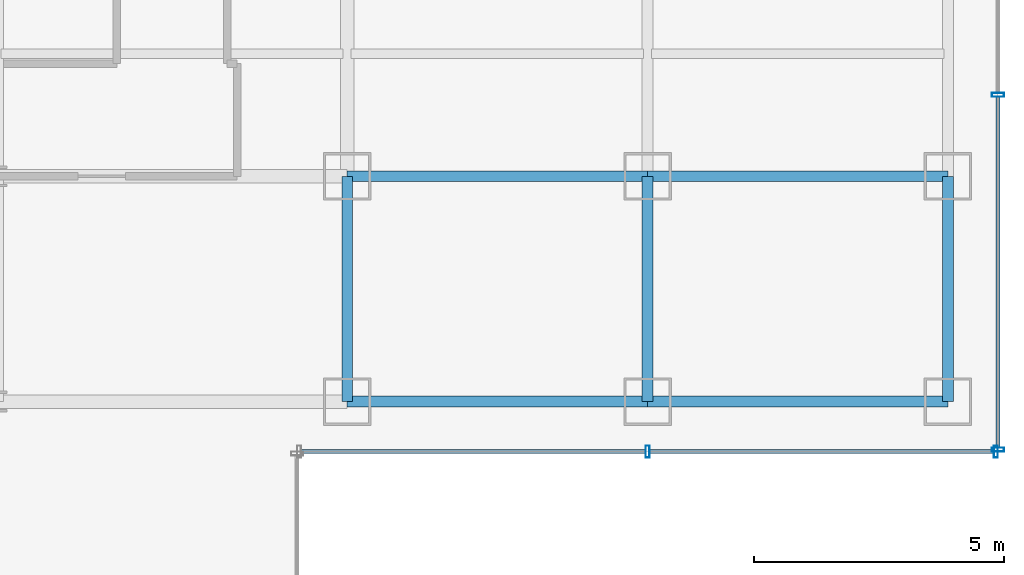
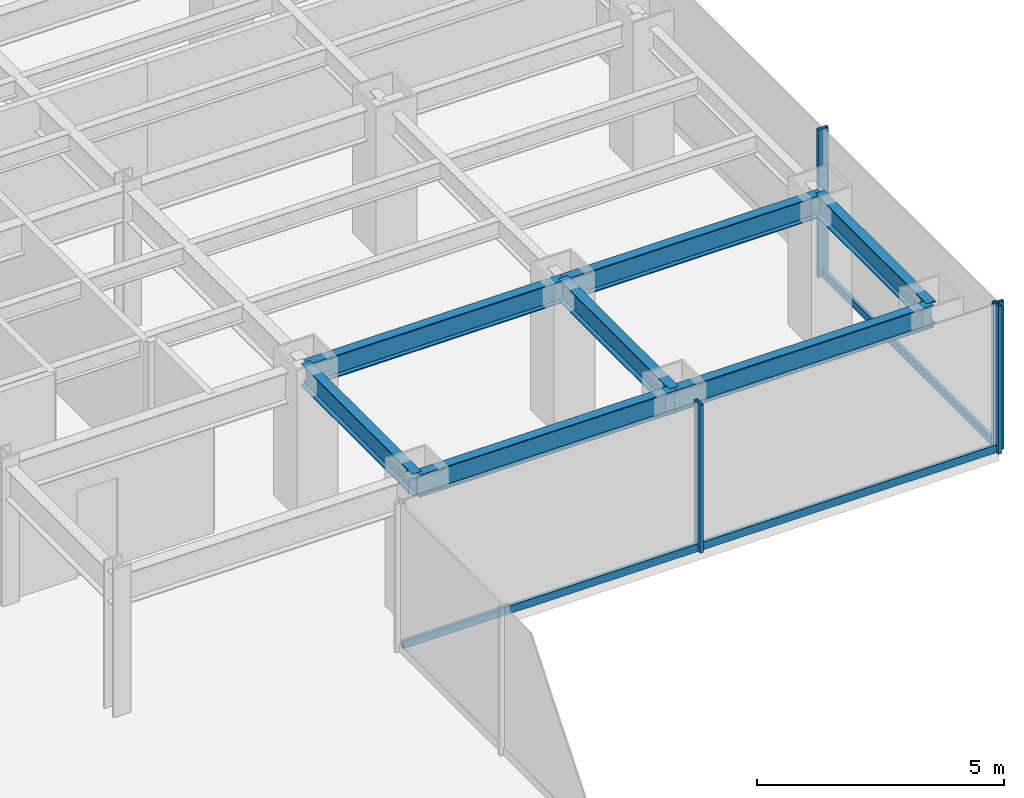
# One storey, part 7 of 22: 7 beams, 7 members, 2 elements without a shape of their own.
"""IFC4 building model written with IfcOpenShell, lengths in metres."""

import ifcopenshell
import ifcopenshell.guid

model = None  # the IFC model being written
_history = None  # IfcOwnerHistory: only IFC2X3 demands one
_inside = {}  # id of a spatial element -> (the spatial element, [elements in it])
_under = {}  # id of a project, library or spatial element -> (it, [spatial elements below it])
_declared = {}  # id of a project -> (the project, [libraries it declares])
_typed = {}  # id of a type object -> (the type object, [elements of that type])
_made_of = {}  # id of a material, layer set ... -> (it, [elements and type objects made of it])


def new_model(schema):
    """Start an empty IFC model of exactly this schema.

    Asked for "IFC4X3", IfcOpenShell would pick the latest addendum, in which some entities
    have other attributes; the version numbers below select the first issue.
    IFC2X3 requires an IfcOwnerHistory on every rooted entity: one is made here for all.
    """
    global model, _history
    if schema == "IFC4X3":
        model = ifcopenshell.file(schema_version=(4, 3, 0, 0))
    else:
        model = ifcopenshell.file(schema=schema)
    _inside.clear()
    _under.clear()
    _declared.clear()
    _typed.clear()
    _made_of.clear()
    _history = None
    if model.schema == "IFC2X3":
        org = make("IfcOrganization", Name="unknown")
        user = make(
            "IfcPersonAndOrganization",
            ThePerson=make("IfcPerson", FamilyName="unknown"),
            TheOrganization=org,
        )
        app = make(
            "IfcApplication",
            ApplicationDeveloper=org,
            Version="unknown",
            ApplicationFullName="unknown",
            ApplicationIdentifier="unknown",
        )
        _history = make(
            "IfcOwnerHistory",
            OwningUser=user,
            OwningApplication=app,
            ChangeAction="ADDED",
            CreationDate=0,
        )
    return model


def make(cls, **values):
    """One entity of the class cls with the attributes given. An attribute that is None is left unset."""
    return model.create_entity(
        cls, **{name: value for name, value in values.items() if value is not None}
    )


def rooted(cls, **values):
    """An entity with a GlobalId (a new one), such as an element, a storey or a relation."""
    return make(cls, GlobalId=ifcopenshell.guid.new(), OwnerHistory=_history, **values)


def si_unit(unit_type, name, prefix=None):
    """IfcSIUnit, for example si_unit("LENGTHUNIT", "METRE", prefix="MILLI")."""
    return make("IfcSIUnit", UnitType=unit_type, Prefix=prefix, Name=name)


def derived_unit(unit_type, elements):
    """IfcDerivedUnit: a product of units, each with its exponent."""
    return make(
        "IfcDerivedUnit",
        Elements=[
            make("IfcDerivedUnitElement", Unit=unit, Exponent=power)
            for unit, power in elements
        ],
        UnitType=unit_type,
    )


def assignment(units):
    """IfcUnitAssignment: the units of a project."""
    return None if units is None else make("IfcUnitAssignment", Units=units)


def point(xyz):
    """IfcCartesianPoint."""
    return None if xyz is None else make("IfcCartesianPoint", Coordinates=xyz)


def direction(xyz):
    """IfcDirection."""
    return None if xyz is None else make("IfcDirection", DirectionRatios=xyz)


def frame(location, z_axis=None, x_axis=None):
    """IfcAxis2Placement3D, a coordinate frame: its origin and axes. An axis left out is left unset."""
    return make(
        "IfcAxis2Placement3D",
        Location=point(location),
        Axis=direction(z_axis),
        RefDirection=direction(x_axis),
    )


def frame_2d(location, x_axis=None):
    """IfcAxis2Placement2D, a coordinate frame in the plane: its origin and x axis."""
    return make(
        "IfcAxis2Placement2D", Location=point(location), RefDirection=direction(x_axis)
    )


def origin():
    """The frame at (0, 0, 0) with its axes left unset."""
    return frame((0.0, 0.0, 0.0))


def origin_2d():
    """The frame at (0, 0) in the plane with its x axis left unset."""
    return frame_2d((0.0, 0.0))


def place(relative_to, where):
    """IfcLocalPlacement: puts the frame where relative to a parent placement (None: the world)."""
    return make(
        "IfcLocalPlacement", PlacementRelTo=relative_to, RelativePlacement=where
    )


def context(
    kind, dimensions, precision=None, world=None, true_north=None, identifier=None
):
    """IfcGeometricRepresentationContext, for example the 3D "Model" context."""
    return make(
        "IfcGeometricRepresentationContext",
        ContextIdentifier=identifier,
        ContextType=kind,
        CoordinateSpaceDimension=dimensions,
        Precision=precision,
        WorldCoordinateSystem=world,
        TrueNorth=true_north,
    )


def subcontext(parent, identifier, kind, view, scale=None):
    """IfcGeometricRepresentationSubContext, for example "Body" below "Model"."""
    return make(
        "IfcGeometricRepresentationSubContext",
        ContextIdentifier=identifier,
        ContextType=kind,
        ParentContext=parent,
        TargetScale=scale,
        TargetView=view,
    )


def project(units=None, contexts=None):
    """IfcProject with its units and contexts."""
    return rooted(
        "IfcProject",
        Name="project",
        RepresentationContexts=contexts,
        UnitsInContext=assignment(units),
    )


def spatial(cls, under=None, at=None, **own):
    """A site, building, storey or space (cls), placed at a placement, below another one or the project."""
    s = rooted(cls, ObjectPlacement=at, **own)
    if under is not None:
        _under.setdefault(under.id(), (under, []))[1].append(s)
    return s


def profile(cls, at=None, kind="AREA", **sizes):
    """A parametric profile (cls). Its sizes go by their IFC names, for example OverallWidth=200.0."""
    return make(cls, ProfileType=kind, Position=at, **sizes)


def hollow_rectangle(**sizes):
    """IfcRectangleHollowProfileDef."""
    return profile("IfcRectangleHollowProfileDef", **sizes)


def i_section(**sizes):
    """IfcIShapeProfileDef."""
    return profile("IfcIShapeProfileDef", **sizes)


def extrude(swept, where, along, depth):
    """IfcExtrudedAreaSolid: the profile swept, set in the frame where, extruded along a direction by depth."""
    return make(
        "IfcExtrudedAreaSolid",
        SweptArea=swept,
        Position=where,
        ExtrudedDirection=direction(along),
        Depth=depth,
    )


def shape(context_of_items, identifier, shape_type, items):
    """IfcShapeRepresentation: the items that make up one representation, for example the "Body"."""
    return make(
        "IfcShapeRepresentation",
        ContextOfItems=context_of_items,
        RepresentationIdentifier=identifier,
        RepresentationType=shape_type,
        Items=items,
    )


def source(mapping_origin, context_of_items, identifier, shape_type, items):
    """IfcRepresentationMap: a shape defined once, which mapped items show again and again."""
    return make(
        "IfcRepresentationMap",
        MappingOrigin=mapping_origin,
        MappedRepresentation=shape(context_of_items, identifier, shape_type, items),
    )


def transform(
    local_origin,
    x_axis=None,
    y_axis=None,
    z_axis=None,
    scale=None,
    scale2=None,
    scale3=None,
    uniform=True,
):
    """IfcCartesianTransformationOperator3D, or its non-uniform kind. x_axis, y_axis, z_axis: its Axis1, 2, 3."""
    if uniform:
        return make(
            "IfcCartesianTransformationOperator3D",
            Axis1=direction(x_axis),
            Axis2=direction(y_axis),
            LocalOrigin=point(local_origin),
            Scale=scale,
            Axis3=direction(z_axis),
        )
    return make(
        "IfcCartesianTransformationOperator3DnonUniform",
        Axis1=direction(x_axis),
        Axis2=direction(y_axis),
        LocalOrigin=point(local_origin),
        Scale=scale,
        Axis3=direction(z_axis),
        Scale2=scale2,
        Scale3=scale3,
    )


def mapped(mapping_source, mapping_target):
    """IfcMappedItem: shows the shape of a source again, moved by a transform."""
    return make(
        "IfcMappedItem", MappingSource=mapping_source, MappingTarget=mapping_target
    )


def material(Name=None, Category=None):
    """IfcMaterial."""
    return make("IfcMaterial", Name=Name, Category=Category)


def material_profile(
    of_material, cross_section, Name=None, Category=None, Priority=None
):
    """IfcMaterialProfile: a cross section and its material."""
    return make(
        "IfcMaterialProfile",
        Name=Name,
        Material=of_material,
        Profile=cross_section,
        Priority=Priority,
        Category=Category,
    )


def profile_set(profiles, Name=None, composite=None):
    """IfcMaterialProfileSet."""
    return make(
        "IfcMaterialProfileSet",
        Name=Name,
        MaterialProfiles=profiles,
        CompositeProfile=composite,
    )


def made_of(thing, what):
    """Note that an element or type object is made of a material, layer set ...; save() writes the relation."""
    if what is not None:
        _made_of.setdefault(what.id(), (what, []))[1].append(thing)
    return thing


def type_object(cls, material=None, **own):
    """A type object (cls), such as IfcWallType, which elements share."""
    return made_of(rooted(cls, **own), material)


def element(
    cls,
    number,
    at=None,
    inside=None,
    cuts=None,
    type_object=None,
    material=None,
    context=None,
    identifier="Body",
    shape_type=None,
    held_by="IfcProductDefinitionShape",
    body=None,
    shapes=None,
    **own,
):
    """One element of the class cls, such as IfcWall. Its Tag is "e" and its number.

    at: its placement. inside: the storey or other place that contains it. cuts: it is an
    opening in that element (IfcRelVoidsElement). A single representation is given by context,
    identifier, shape_type and body (its items); several are given by shapes. held_by: the class
    of the entity that holds the representations. save() writes the other relations.
    """
    e = rooted(cls, Tag="e%d" % number, ObjectPlacement=at, **own)
    if body is not None:
        shapes = [shape(context, identifier, shape_type, body)]
    if shapes is not None:
        e.Representation = make(held_by, Representations=shapes)
    if inside is not None:
        _inside.setdefault(inside.id(), (inside, []))[1].append(e)
    if cuts is not None:
        rooted(
            "IfcRelVoidsElement", RelatingBuildingElement=cuts, RelatedOpeningElement=e
        )
    if type_object is not None:
        _typed.setdefault(type_object.id(), (type_object, []))[1].append(e)
    return made_of(e, material)


def aggregate(whole, parts):
    """IfcRelAggregates: a whole, such as a stair, and the parts it consists of."""
    return rooted("IfcRelAggregates", RelatingObject=whole, RelatedObjects=parts)


def save(model, path):
    """Write the relations noted so far, then the file.

    IfcRelAggregates (storeys below a building ...), IfcRelContainedInSpatialStructure (elements
    in a storey), IfcRelDefinesByType, IfcRelAssociatesMaterial and IfcRelDeclares: one each for
    every whole, place, type object, material and project.
    """
    for whole, parts in _under.values():
        aggregate(whole, parts)
    for where, things in _inside.values():
        rooted(
            "IfcRelContainedInSpatialStructure",
            RelatedElements=things,
            RelatingStructure=where,
        )
    for kind, things in _typed.values():
        rooted("IfcRelDefinesByType", RelatedObjects=things, RelatingType=kind)
    for what, things in _made_of.values():
        rooted("IfcRelAssociatesMaterial", RelatedObjects=things, RelatingMaterial=what)
    for by, libraries in _declared.values():
        rooted("IfcRelDeclares", RelatingContext=by, RelatedDefinitions=libraries)
    model.write(path)


model = new_model("IFC4")

# Units and contexts
model_context = context("Model", 3, precision=1e-05, world=origin(), true_north=direction((0.0, 1.0)))
body_context = subcontext(model_context, "Body", "Model", "MODEL_VIEW")
ifc_project = project(units=[si_unit("LENGTHUNIT", "METRE"), si_unit("AREAUNIT", "SQUARE_METRE"), si_unit("VOLUMEUNIT", "CUBIC_METRE"), si_unit("PLANEANGLEUNIT", "RADIAN"), si_unit("MASSUNIT", "GRAM", prefix="KILO"), derived_unit("THERMALTRANSMITTANCEUNIT", [(si_unit("POWERUNIT", "WATT"), 1), (si_unit("LENGTHUNIT", "METRE"), -2), (si_unit("THERMODYNAMICTEMPERATUREUNIT", "KELVIN"), -1)])], contexts=[model_context])

# Site, building, storey
site_placement = place(None, origin())
site = spatial("IfcSite", under=ifc_project, at=site_placement, CompositionType="ELEMENT")
building_placement = place(site_placement, origin())
building = spatial("IfcBuilding", under=site, at=building_placement, Name="Skarnbrae Concourse Arena and Tower", CompositionType="ELEMENT")
storey_placement = place(building_placement, frame((0.0, 0.0, 32.5)))
storey = spatial("IfcBuildingStorey", under=building, at=storey_placement, Name="L06", CompositionType="ELEMENT", Elevation=32.5)

# Beams
ifc_material_1 = material(Name="Steel CSA G40.21 350W", Category="steel")
ifc_material_profile_1 = material_profile(ifc_material_1, i_section(OverallWidth=0.214111328125, OverallDepth=0.549072265625, WebThickness=0.0146484375, FlangeThickness=0.023681640625, at=origin_2d()), Name="W530X138")
ifc_profile_set_1 = profile_set([ifc_material_profile_1], Name="Steel CSA G40.21 350W")
beam_type = type_object("IfcBeamType", Name="BM-SPAN-W530X138", PredefinedType="SPANDREL", material=ifc_profile_set_1)
shared_shape_1 = source(origin(), body_context, "Body", "SweptSolid", [
    extrude(i_section(OverallWidth=0.214111328125, OverallDepth=0.549072265625, WebThickness=0.0146484375, FlangeThickness=0.023681640625, at=origin_2d()), origin(), (0.0, 0.0, 1.0), 6.0),
])
for number, where, z_axis, x_axis, name in (
    (1, (49.0, 9.5, 3.12548828125), (1.0, 0.0, 0.0), (0.0, 1.0, 0.0), "L06 Perimeter spandrel Y9.5-3"),
    (2, (55.0, 9.5, 3.12548828125), (1.0, 0.0, 0.0), (0.0, 1.0, 0.0), "L06 Perimeter spandrel Y9.5-4"),
    (3, (49.0, 14.0, 3.12548828125), (1.0, 0.0, 0.0), (0.0, 1.0, 0.0), "L06 Perimeter spandrel Y14.0-8"),
    (4, (55.0, 14.0, 3.12548828125), (1.0, 0.0, 0.0), (0.0, 1.0, 0.0), "L06 Perimeter spandrel Y14.0-9"),
):
    element("IfcBeam", number, at=place(storey_placement, frame(where, z_axis=z_axis, x_axis=x_axis)), inside=storey, type_object=beam_type, Name=name, PredefinedType="SPANDREL", context=body_context, shape_type="MappedRepresentation", body=[
        mapped(shared_shape_1, transform((0.0, 0.0, 0.0))),
    ])
shared_shape_2 = source(origin(), body_context, "Body", "SweptSolid", [
    extrude(i_section(OverallWidth=0.214111328125, OverallDepth=0.549072265625, WebThickness=0.0146484375, FlangeThickness=0.023681640625, at=origin_2d()), origin(), (0.0, 0.0, 1.0), 4.5),
])
for number, where, z_axis, x_axis, name in (
    (5, (49.0, 9.5, 3.12548828125), (0.0, 1.0, 0.0), (-1.0, 0.0, 0.0), "L06 Perimeter spandrel X49.0-1"),
    (6, (55.0, 9.5, 3.12548828125), (0.0, 1.0, 0.0), (-1.0, 0.0, 0.0), "L06 Perimeter spandrel X55.0-1"),
    (7, (61.0, 9.5, 3.12548828125), (0.0, 1.0, 0.0), (-1.0, 0.0, 0.0), "L06 Perimeter spandrel X61.0-1"),
):
    element("IfcBeam", number, at=place(storey_placement, frame(where, z_axis=z_axis, x_axis=x_axis)), inside=storey, type_object=beam_type, Name=name, PredefinedType="SPANDREL", context=body_context, shape_type="MappedRepresentation", body=[
        mapped(shared_shape_2, transform((0.0, 0.0, 0.0))),
    ])

# Curtain wall, members
ifc_material_2 = material(Name="Bronze anodised aluminium 6063-T6", Category="aluminium")
curtain_wall_type = type_object("IfcCurtainWallType", Name="CW-SYS-02-LOWZONE", PredefinedType="USERDEFINED", material=ifc_material_2)
curtain_wall_1_placement = place(storey_placement, origin())
curtain_wall_1 = element("IfcCurtainWall", 8, at=curtain_wall_1_placement, inside=storey, type_object=curtain_wall_type, Name="L06 Unitised curtain wall CW-L06-E03", ObjectType="UNITISED CURTAIN WALL", PredefinedType="USERDEFINED")
ifc_material_profile_2 = material_profile(ifc_material_2, hollow_rectangle(XDim=0.080078125, YDim=0.239990234375, WallThickness=0.0048828125, at=origin_2d()), Name="ALU-MULL-80X240")
ifc_profile_set_2 = profile_set([ifc_material_profile_2], Name="Bronze anodised aluminium 6063-T6")
member_type_1 = type_object("IfcMemberType", Name="CWM-CW-02", PredefinedType="MULLION", material=ifc_profile_set_2)
shared_shape_3 = source(origin(), body_context, "Body", "SweptSolid", [
    extrude(hollow_rectangle(XDim=0.080078125, YDim=0.239990234375, WallThickness=0.0048828125, at=origin_2d()), origin(), (0.0, 0.0, 1.0), 3.64990234375),
])
member_1_placement = place(storey_placement, frame((55.0, 8.5, 0.0), z_axis=(0.0, 0.0, 1.0), x_axis=(1.0, 0.0, 0.0)))
member_1 = element("IfcMember", 9, at=member_1_placement, type_object=member_type_1, Name="CW-L06-E03 Mullion 2", PredefinedType="MULLION", context=body_context, shape_type="MappedRepresentation", body=[
    mapped(shared_shape_3, transform((0.0, 0.0, 0.0))),
])
member_2_placement = place(storey_placement, frame((61.9599609375, 8.5, 0.0), z_axis=(0.0, 0.0, 1.0), x_axis=(1.0, 0.0, 0.0)))
member_2 = element("IfcMember", 10, at=member_2_placement, type_object=member_type_1, Name="CW-L06-E03 Mullion 3", PredefinedType="MULLION", context=body_context, shape_type="MappedRepresentation", body=[
    mapped(shared_shape_3, transform((0.0, 0.0, 0.0))),
])

curtain_wall_2_placement = place(storey_placement, origin())
curtain_wall_2 = element("IfcCurtainWall", 11, at=curtain_wall_2_placement, inside=storey, type_object=curtain_wall_type, Name="L06 Unitised curtain wall CW-L06-E04", ObjectType="UNITISED CURTAIN WALL", PredefinedType="USERDEFINED")
member_3_placement = place(storey_placement, frame((62.0, 8.5400390625, 0.0), z_axis=(0.0, 0.0, 1.0), x_axis=(0.0, 1.0, 0.0)))
member_3 = element("IfcMember", 12, at=member_3_placement, type_object=member_type_1, Name="CW-L06-E04 Mullion 1", PredefinedType="MULLION", context=body_context, shape_type="MappedRepresentation", body=[
    mapped(shared_shape_3, transform((0.0, 0.0, 0.0))),
])
member_4_placement = place(storey_placement, frame((62.0, 15.625, 0.0), z_axis=(0.0, 0.0, 1.0), x_axis=(0.0, 1.0, 0.0)))
member_4 = element("IfcMember", 13, at=member_4_placement, type_object=member_type_1, Name="CW-L06-E04 Mullion 2", PredefinedType="MULLION", context=body_context, shape_type="MappedRepresentation", body=[
    mapped(shared_shape_3, transform((0.0, 0.0, 0.0))),
])

# Member
ifc_material_profile_3 = material_profile(ifc_material_2, hollow_rectangle(XDim=0.080078125, YDim=0.18994140625, WallThickness=0.0048828125, at=origin_2d()), Name="ALU-TRAN-80X190")
ifc_profile_set_3 = profile_set([ifc_material_profile_3], Name="Bronze anodised aluminium 6063-T6")
member_type_2 = type_object("IfcMemberType", Name="CWT-CW-02", PredefinedType="USERDEFINED", material=ifc_profile_set_3)
shared_shape_4 = source(origin(), body_context, "Body", "SweptSolid", [
    extrude(hollow_rectangle(XDim=0.080078125, YDim=0.18994140625, WallThickness=0.0048828125, at=origin_2d()), origin(), (0.0, 0.0, 1.0), 6.8798828125),
])
member_5_placement = place(storey_placement, frame((48.080078125, 8.5, 0.094970703125), z_axis=(1.0, 0.0, 0.0), x_axis=(0.0, 1.0, 0.0)))
member_5 = element("IfcMember", 14, at=member_5_placement, type_object=member_type_2, Name="CW-L06-E03 Transom 1", ObjectType="TRANSOM", PredefinedType="USERDEFINED", context=body_context, shape_type="MappedRepresentation", body=[
    mapped(shared_shape_4, transform((0.0, 0.0, 0.0))),
])

member_6_placement = place(storey_placement, frame((55.0400390625, 8.5, 0.094970703125), z_axis=(1.0, 0.0, 0.0), x_axis=(0.0, 1.0, 0.0)))
member_6 = element("IfcMember", 15, at=member_6_placement, type_object=member_type_2, Name="CW-L06-E03 Transom 2", ObjectType="TRANSOM", PredefinedType="USERDEFINED", context=body_context, shape_type="MappedRepresentation", body=[
    mapped(shared_shape_4, transform((0.0, 0.0, 0.0))),
])

aggregate(curtain_wall_1, [member_1, member_2, member_5, member_6])

shared_shape_5 = source(origin(), body_context, "Body", "SweptSolid", [
    extrude(hollow_rectangle(XDim=0.080078125, YDim=0.18994140625, WallThickness=0.0048828125, at=origin_2d()), origin(), (0.0, 0.0, 1.0), 7.0048828125),
])
member_7_placement = place(storey_placement, frame((62.0, 8.580078125, 0.094970703125), z_axis=(0.0, 1.0, 0.0), x_axis=(-1.0, 0.0, 0.0)))
member_7 = element("IfcMember", 16, at=member_7_placement, type_object=member_type_2, Name="CW-L06-E04 Transom 1", ObjectType="TRANSOM", PredefinedType="USERDEFINED", context=body_context, shape_type="MappedRepresentation", body=[
    mapped(shared_shape_5, transform((0.0, 0.0, 0.0))),
])

aggregate(curtain_wall_2, [member_3, member_4, member_7])

save(model, "model.ifc")
